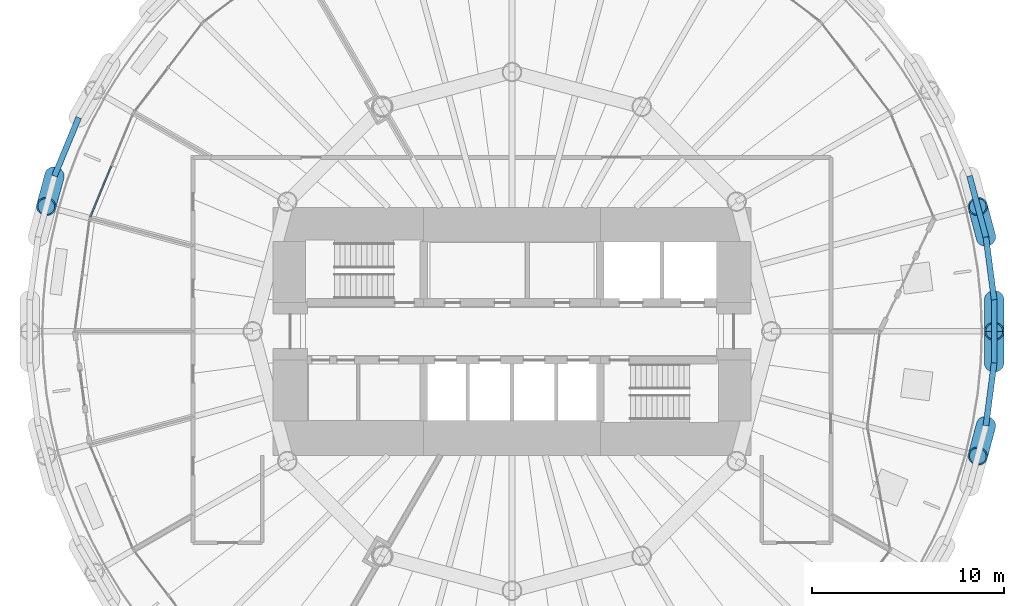
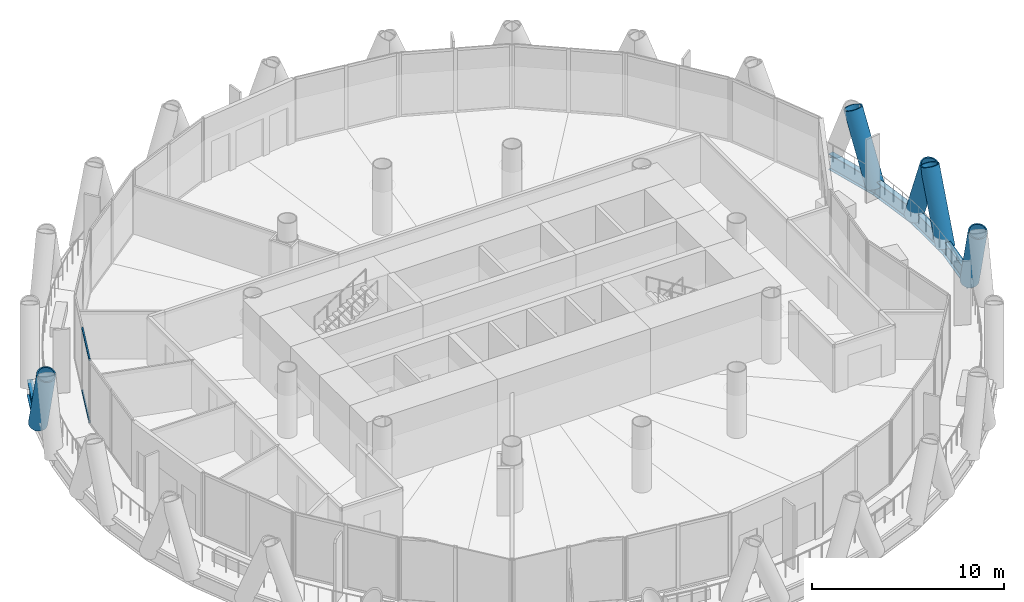
# One storey, part 5 of 15: 7 members, 5 beams, 1 element without a shape of its own.
"""IFC4 building model written with IfcOpenShell, lengths in metres."""

from ifc_helpers import new_model, si_unit, direction, frame, origin, origin_2d, place, context, subcontext, project, spatial, rectangle, hollow_circle, i_section, extrude, material, material_profile, profile_set, type_object, element, aggregate, save


model = new_model("IFC4")

# Units and contexts
model_context = context("Model", 3, precision=1e-05, world=origin(), true_north=direction((0.0, 1.0)))
body_context = subcontext(model_context, "Body", "Model", "MODEL_VIEW")
ifc_project = project(units=[si_unit("LENGTHUNIT", "METRE"), si_unit("AREAUNIT", "SQUARE_METRE"), si_unit("VOLUMEUNIT", "CUBIC_METRE"), si_unit("PLANEANGLEUNIT", "RADIAN"), si_unit("MASSUNIT", "GRAM", prefix="KILO")], contexts=[model_context])

# Site, building, storey
site_placement = place(None, origin())
site = spatial("IfcSite", under=ifc_project, at=site_placement, CompositionType="ELEMENT")
building_placement = place(site_placement, origin())
building = spatial("IfcBuilding", under=site, at=building_placement, Name="Qaws Media Tower", CompositionType="ELEMENT")
storey_placement = place(building_placement, frame((0.0, 0.0, 122.60009765625)))
storey = spatial("IfcBuildingStorey", under=building, at=storey_placement, Name="L27", CompositionType="ELEMENT", Elevation=122.60009765625)

# Curtain wall, members
ifc_material_1 = material(Name="Aluminium and clear glass", Category="aluminium")
curtain_wall_type = type_object("IfcCurtainWallType", Name="Unitised curtain wall CW-B", PredefinedType="NOTDEFINED", material=ifc_material_1)
curtain_wall_placement = place(storey_placement, origin())
curtain_wall = element("IfcCurtainWall", 1, at=curtain_wall_placement, inside=storey, type_object=curtain_wall_type, Name="CWB curtain wall L27-11", PredefinedType="NOTDEFINED")
ifc_material_2 = material(Name="Aluminium transom", Category="aluminium")
ifc_material_profile_1 = material_profile(ifc_material_2, rectangle(XDim=0.080078125, YDim=0.159912109375, at=origin_2d()), Name="80x160")
ifc_profile_set_1 = profile_set([ifc_material_profile_1], Name="Aluminium transom")
member_type_1 = type_object("IfcMemberType", Name="Curtain wall transom 80x160", PredefinedType="USERDEFINED", material=ifc_profile_set_1)
member_1_placement = place(storey_placement, frame((39.146240234375, 58.5947265625, 0.039794921875), z_axis=(-0.382649436764, -0.923893613217, 0.0), x_axis=(0.923893613217, -0.382649436764, 0.0)))
member_1 = element("IfcMember", 2, at=member_1_placement, type_object=member_type_1, Name="CWB transom 2.1", ObjectType="TRANSOM", PredefinedType="USERDEFINED", context=body_context, shape_type="SweptSolid", body=[
    extrude(rectangle(XDim=0.080078125, YDim=0.159912109375, at=origin_2d()), origin(), (0.0, 0.0, 1.0), 2.849365234375),
])
member_2_placement = place(storey_placement, frame((39.146240234375, 58.5947265625, 4.0), z_axis=(-0.382649436764, -0.923893613217, 0.0), x_axis=(0.923893613217, -0.382649436764, 0.0)))
member_2 = element("IfcMember", 3, at=member_2_placement, type_object=member_type_1, Name="CWB transom 2.2", ObjectType="TRANSOM", PredefinedType="USERDEFINED", context=body_context, shape_type="SweptSolid", body=[
    extrude(rectangle(XDim=0.080078125, YDim=0.159912109375, at=origin_2d()), origin(), (0.0, 0.0, 1.0), 2.849365234375),
])
aggregate(curtain_wall, [member_1, member_2])

# Members
ifc_material_3 = material(Name="Steel S460", Category="steel")
ifc_material_profile_2 = material_profile(ifc_material_3, hollow_circle(Radius=0.508056640625, WallThickness=0.070068359375, at=origin_2d()), Name="CHS 1016x70")
ifc_profile_set_2 = profile_set([ifc_material_profile_2], Name="Steel S460")
member_type_2 = type_object("IfcMemberType", Name="Diagrid member CHS 1016x70", PredefinedType="USERDEFINED", material=ifc_profile_set_2)
for number, where, z_axis, x_axis, name in (
    (4, (84.666748046875, 54.906494140625, -0.6640625), (-0.093584121618, 0.35246951994, 0.931132240713), (-0.966512740702, -0.256618631553, 0.0), "DG3 diagrid L27 A01"),
    (5, (85.09619140625, 51.644775390625, -0.6640625), (0.000866028828, -0.364652263456, 0.931143370674), (0.999997179832, 0.002374937639, 0.0), "DG3 diagrid L27 B01"),
    (6, (36.184814453125, 58.084228515625, -0.6640625), (-0.095207834857, -0.352036246678, 0.931131542375), (0.965319934885, -0.261069767138, 0.0), "DG3 diagrid L27 A11"),
    (7, (85.09619140625, 48.355224609375, -0.6640625), (0.000866028828, 0.364652263456, 0.931143370674), (-0.999997179832, 0.002374937639, 0.0), "DG3 diagrid L27 A24"),
    (8, (84.666748046875, 45.093505859375, -0.6640625), (-0.093584121618, -0.35246951994, 0.931132240713), (0.966512740702, -0.256618631553, 0.0), "DG3 diagrid L27 B24"),
):
    element("IfcMember", number, at=place(storey_placement, frame(where, z_axis=z_axis, x_axis=x_axis)), inside=storey, type_object=member_type_2, Name=name, ObjectType="DIAGRID", PredefinedType="USERDEFINED", context=body_context, shape_type="SweptSolid", body=[
        extrude(hollow_circle(Radius=0.508056640625, WallThickness=0.070068359375, at=origin_2d()), origin(), (0.0, 0.0, 1.0), 4.510498046875),
    ])

# Beams
ifc_material_4 = material(Name="Steel S460", Category="steel")
ifc_material_profile_3 = material_profile(ifc_material_4, i_section(OverallWidth=0.302001953125, OverallDepth=1.008056640625, WebThickness=0.02099609375, FlangeThickness=0.0400390625, FilletRadius=0.030029296875, at=origin_2d()), Name="HE 1000 M")
ifc_profile_set_3 = profile_set([ifc_material_profile_3], Name="Steel S460")
beam_type = type_object("IfcBeamType", Name="Edge ring beam HE 1000 M", PredefinedType="BEAM", material=ifc_profile_set_3)
for number, where, z_axis, x_axis, name in (
    (9, (85.09619140625, 51.644775390625, -0.6640625), (-0.130535137689, 0.991443683639, 0.0), (-0.991443683639, -0.130535137689, 0.0), "RB3 edge ring beam L27-01"),
    (10, (84.666748046875, 54.906494140625, -0.6640625), (-0.258844892706, 0.965918900074, 0.0), (-0.965918900074, -0.258844892706, 0.0), "RB3 edge ring beam L27-02"),
):
    element("IfcBeam", number, at=place(storey_placement, frame(where, z_axis=z_axis, x_axis=x_axis)), inside=storey, type_object=beam_type, Name=name, PredefinedType="BEAM", context=body_context, shape_type="SweptSolid", body=[
        extrude(i_section(OverallWidth=0.302001953125, OverallDepth=1.008056640625, WebThickness=0.02099609375, FlangeThickness=0.0400390625, FilletRadius=0.030029296875, at=origin_2d()), origin(), (0.0, 0.0, 1.0), 3.289794921875),
    ])
beam_1_placement = place(storey_placement, frame((37.443603515625, 61.12353515625, -0.6640625), z_axis=(-0.382648931533, -0.923893822469, 0.0), x_axis=(0.923893822469, -0.382648931533, 0.0)))
element("IfcBeam", 11, at=beam_1_placement, inside=storey, type_object=beam_type, Name="RB3 edge ring beam L27-21", PredefinedType="BEAM", context=body_context, shape_type="SweptSolid", body=[
    extrude(i_section(OverallWidth=0.302001953125, OverallDepth=1.008056640625, WebThickness=0.02099609375, FlangeThickness=0.0400390625, FilletRadius=0.030029296875, at=origin_2d()), origin(), (0.0, 0.0, 1.0), 3.28955078125),
])
beam_2_placement = place(storey_placement, frame((84.666748046875, 45.093505859375, -0.6640625), z_axis=(0.130535137689, 0.991443683639, 0.0), x_axis=(-0.991443683639, 0.130535137689, 0.0)))
element("IfcBeam", 12, at=beam_2_placement, inside=storey, type_object=beam_type, Name="RB3 edge ring beam L27-47", PredefinedType="BEAM", context=body_context, shape_type="SweptSolid", body=[
    extrude(i_section(OverallWidth=0.302001953125, OverallDepth=1.008056640625, WebThickness=0.02099609375, FlangeThickness=0.0400390625, FilletRadius=0.030029296875, at=origin_2d()), origin(), (0.0, 0.0, 1.0), 3.289794921875),
])
beam_3_placement = place(storey_placement, frame((85.09619140625, 48.355224609375, -0.6640625), z_axis=(0.0, 1.0, 0.0), x_axis=(-1.0, 0.0, 0.0)))
element("IfcBeam", 13, at=beam_3_placement, inside=storey, type_object=beam_type, Name="RB3 edge ring beam L27-48", PredefinedType="BEAM", context=body_context, shape_type="SweptSolid", body=[
    extrude(i_section(OverallWidth=0.302001953125, OverallDepth=1.008056640625, WebThickness=0.02099609375, FlangeThickness=0.0400390625, FilletRadius=0.030029296875, at=origin_2d()), origin(), (0.0, 0.0, 1.0), 3.28955078125),
])

save(model, "model.ifc")
